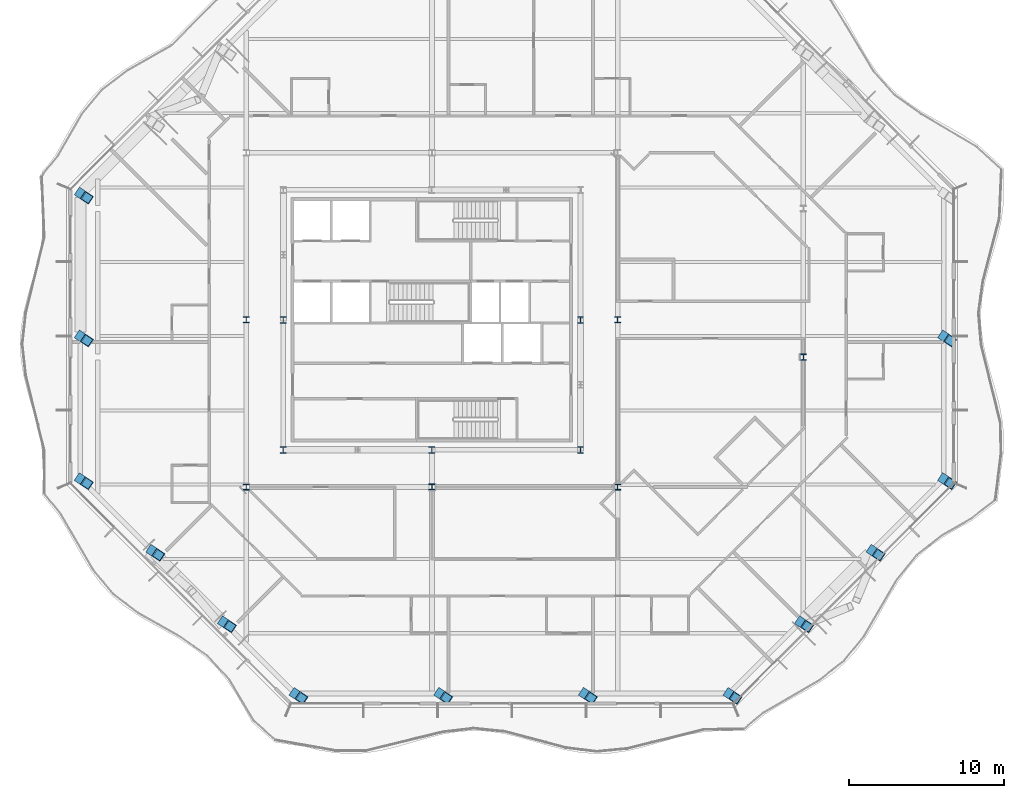
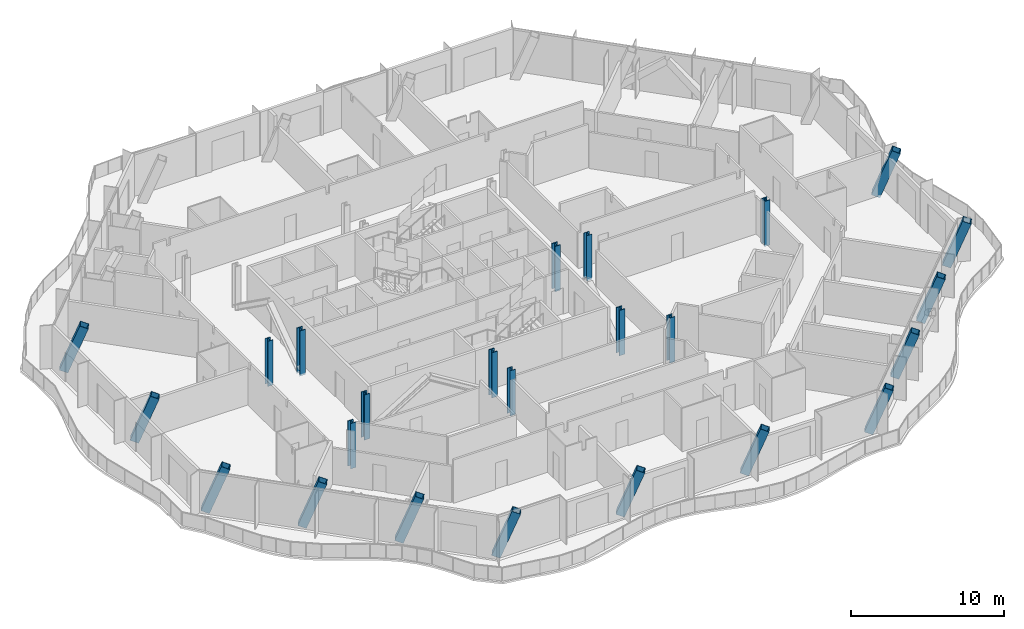
# One storey, part 1 of 19: 24 columns.
"""IFC4 building model written with IfcOpenShell, lengths in metres."""

import ifcopenshell
import ifcopenshell.guid

model = None  # the IFC model being written
_history = None  # IfcOwnerHistory: only IFC2X3 demands one
_inside = {}  # id of a spatial element -> (the spatial element, [elements in it])
_under = {}  # id of a project, library or spatial element -> (it, [spatial elements below it])
_declared = {}  # id of a project -> (the project, [libraries it declares])
_typed = {}  # id of a type object -> (the type object, [elements of that type])
_made_of = {}  # id of a material, layer set ... -> (it, [elements and type objects made of it])


def new_model(schema):
    """Start an empty IFC model of exactly this schema.

    Asked for "IFC4X3", IfcOpenShell would pick the latest addendum, in which some entities
    have other attributes; the version numbers below select the first issue.
    IFC2X3 requires an IfcOwnerHistory on every rooted entity: one is made here for all.
    """
    global model, _history
    if schema == "IFC4X3":
        model = ifcopenshell.file(schema_version=(4, 3, 0, 0))
    else:
        model = ifcopenshell.file(schema=schema)
    _inside.clear()
    _under.clear()
    _declared.clear()
    _typed.clear()
    _made_of.clear()
    _history = None
    if model.schema == "IFC2X3":
        org = make("IfcOrganization", Name="unknown")
        user = make(
            "IfcPersonAndOrganization",
            ThePerson=make("IfcPerson", FamilyName="unknown"),
            TheOrganization=org,
        )
        app = make(
            "IfcApplication",
            ApplicationDeveloper=org,
            Version="unknown",
            ApplicationFullName="unknown",
            ApplicationIdentifier="unknown",
        )
        _history = make(
            "IfcOwnerHistory",
            OwningUser=user,
            OwningApplication=app,
            ChangeAction="ADDED",
            CreationDate=0,
        )
    return model


def make(cls, **values):
    """One entity of the class cls with the attributes given. An attribute that is None is left unset."""
    return model.create_entity(
        cls, **{name: value for name, value in values.items() if value is not None}
    )


def rooted(cls, **values):
    """An entity with a GlobalId (a new one), such as an element, a storey or a relation."""
    return make(cls, GlobalId=ifcopenshell.guid.new(), OwnerHistory=_history, **values)


def si_unit(unit_type, name, prefix=None):
    """IfcSIUnit, for example si_unit("LENGTHUNIT", "METRE", prefix="MILLI")."""
    return make("IfcSIUnit", UnitType=unit_type, Prefix=prefix, Name=name)


def assignment(units):
    """IfcUnitAssignment: the units of a project."""
    return None if units is None else make("IfcUnitAssignment", Units=units)


def point(xyz):
    """IfcCartesianPoint."""
    return None if xyz is None else make("IfcCartesianPoint", Coordinates=xyz)


def direction(xyz):
    """IfcDirection."""
    return None if xyz is None else make("IfcDirection", DirectionRatios=xyz)


def frame(location, z_axis=None, x_axis=None):
    """IfcAxis2Placement3D, a coordinate frame: its origin and axes. An axis left out is left unset."""
    return make(
        "IfcAxis2Placement3D",
        Location=point(location),
        Axis=direction(z_axis),
        RefDirection=direction(x_axis),
    )


def frame_2d(location, x_axis=None):
    """IfcAxis2Placement2D, a coordinate frame in the plane: its origin and x axis."""
    return make(
        "IfcAxis2Placement2D", Location=point(location), RefDirection=direction(x_axis)
    )


def origin():
    """The frame at (0, 0, 0) with its axes left unset."""
    return frame((0.0, 0.0, 0.0))


def origin_2d():
    """The frame at (0, 0) in the plane with its x axis left unset."""
    return frame_2d((0.0, 0.0))


def place(relative_to, where):
    """IfcLocalPlacement: puts the frame where relative to a parent placement (None: the world)."""
    return make(
        "IfcLocalPlacement", PlacementRelTo=relative_to, RelativePlacement=where
    )


def context(
    kind, dimensions, precision=None, world=None, true_north=None, identifier=None
):
    """IfcGeometricRepresentationContext, for example the 3D "Model" context."""
    return make(
        "IfcGeometricRepresentationContext",
        ContextIdentifier=identifier,
        ContextType=kind,
        CoordinateSpaceDimension=dimensions,
        Precision=precision,
        WorldCoordinateSystem=world,
        TrueNorth=true_north,
    )


def subcontext(parent, identifier, kind, view, scale=None):
    """IfcGeometricRepresentationSubContext, for example "Body" below "Model"."""
    return make(
        "IfcGeometricRepresentationSubContext",
        ContextIdentifier=identifier,
        ContextType=kind,
        ParentContext=parent,
        TargetScale=scale,
        TargetView=view,
    )


def project(units=None, contexts=None):
    """IfcProject with its units and contexts."""
    return rooted(
        "IfcProject",
        Name="project",
        RepresentationContexts=contexts,
        UnitsInContext=assignment(units),
    )


def spatial(cls, under=None, at=None, **own):
    """A site, building, storey or space (cls), placed at a placement, below another one or the project."""
    s = rooted(cls, ObjectPlacement=at, **own)
    if under is not None:
        _under.setdefault(under.id(), (under, []))[1].append(s)
    return s


def profile(cls, at=None, kind="AREA", **sizes):
    """A parametric profile (cls). Its sizes go by their IFC names, for example OverallWidth=200.0."""
    return make(cls, ProfileType=kind, Position=at, **sizes)


def hollow_rectangle(**sizes):
    """IfcRectangleHollowProfileDef."""
    return profile("IfcRectangleHollowProfileDef", **sizes)


def i_section(**sizes):
    """IfcIShapeProfileDef."""
    return profile("IfcIShapeProfileDef", **sizes)


def extrude(swept, where, along, depth):
    """IfcExtrudedAreaSolid: the profile swept, set in the frame where, extruded along a direction by depth."""
    return make(
        "IfcExtrudedAreaSolid",
        SweptArea=swept,
        Position=where,
        ExtrudedDirection=direction(along),
        Depth=depth,
    )


def clip(a, b, op="DIFFERENCE"):
    """IfcBooleanClippingResult: the solid a cut by the half space b."""
    return make(
        "IfcBooleanClippingResult", Operator=op, FirstOperand=a, SecondOperand=b
    )


def halfspace(plane, agree):
    """IfcHalfSpaceSolid: all space on one side of the plane z = 0 of the frame plane."""
    return make(
        "IfcHalfSpaceSolid",
        BaseSurface=make("IfcPlane", Position=plane),
        AgreementFlag=agree,
    )


def shape(context_of_items, identifier, shape_type, items):
    """IfcShapeRepresentation: the items that make up one representation, for example the "Body"."""
    return make(
        "IfcShapeRepresentation",
        ContextOfItems=context_of_items,
        RepresentationIdentifier=identifier,
        RepresentationType=shape_type,
        Items=items,
    )


def material(Name=None, Category=None):
    """IfcMaterial."""
    return make("IfcMaterial", Name=Name, Category=Category)


def material_profile(
    of_material, cross_section, Name=None, Category=None, Priority=None
):
    """IfcMaterialProfile: a cross section and its material."""
    return make(
        "IfcMaterialProfile",
        Name=Name,
        Material=of_material,
        Profile=cross_section,
        Priority=Priority,
        Category=Category,
    )


def profile_set(profiles, Name=None, composite=None):
    """IfcMaterialProfileSet."""
    return make(
        "IfcMaterialProfileSet",
        Name=Name,
        MaterialProfiles=profiles,
        CompositeProfile=composite,
    )


def made_of(thing, what):
    """Note that an element or type object is made of a material, layer set ...; save() writes the relation."""
    if what is not None:
        _made_of.setdefault(what.id(), (what, []))[1].append(thing)
    return thing


def type_object(cls, material=None, **own):
    """A type object (cls), such as IfcWallType, which elements share."""
    return made_of(rooted(cls, **own), material)


def element(
    cls,
    number,
    at=None,
    inside=None,
    cuts=None,
    type_object=None,
    material=None,
    context=None,
    identifier="Body",
    shape_type=None,
    held_by="IfcProductDefinitionShape",
    body=None,
    shapes=None,
    **own,
):
    """One element of the class cls, such as IfcWall. Its Tag is "e" and its number.

    at: its placement. inside: the storey or other place that contains it. cuts: it is an
    opening in that element (IfcRelVoidsElement). A single representation is given by context,
    identifier, shape_type and body (its items); several are given by shapes. held_by: the class
    of the entity that holds the representations. save() writes the other relations.
    """
    e = rooted(cls, Tag="e%d" % number, ObjectPlacement=at, **own)
    if body is not None:
        shapes = [shape(context, identifier, shape_type, body)]
    if shapes is not None:
        e.Representation = make(held_by, Representations=shapes)
    if inside is not None:
        _inside.setdefault(inside.id(), (inside, []))[1].append(e)
    if cuts is not None:
        rooted(
            "IfcRelVoidsElement", RelatingBuildingElement=cuts, RelatedOpeningElement=e
        )
    if type_object is not None:
        _typed.setdefault(type_object.id(), (type_object, []))[1].append(e)
    return made_of(e, material)


def aggregate(whole, parts):
    """IfcRelAggregates: a whole, such as a stair, and the parts it consists of."""
    return rooted("IfcRelAggregates", RelatingObject=whole, RelatedObjects=parts)


def save(model, path):
    """Write the relations noted so far, then the file.

    IfcRelAggregates (storeys below a building ...), IfcRelContainedInSpatialStructure (elements
    in a storey), IfcRelDefinesByType, IfcRelAssociatesMaterial and IfcRelDeclares: one each for
    every whole, place, type object, material and project.
    """
    for whole, parts in _under.values():
        aggregate(whole, parts)
    for where, things in _inside.values():
        rooted(
            "IfcRelContainedInSpatialStructure",
            RelatedElements=things,
            RelatingStructure=where,
        )
    for kind, things in _typed.values():
        rooted("IfcRelDefinesByType", RelatedObjects=things, RelatingType=kind)
    for what, things in _made_of.values():
        rooted("IfcRelAssociatesMaterial", RelatedObjects=things, RelatingMaterial=what)
    for by, libraries in _declared.values():
        rooted("IfcRelDeclares", RelatingContext=by, RelatedDefinitions=libraries)
    model.write(path)


model = new_model("IFC4")

# Units and contexts
model_context = context("Model", 3, precision=1e-05, world=origin(), true_north=direction((0.0, 1.0)))
body_context = subcontext(model_context, "Body", "Model", "MODEL_VIEW")
ifc_project = project(units=[si_unit("LENGTHUNIT", "METRE"), si_unit("AREAUNIT", "SQUARE_METRE"), si_unit("VOLUMEUNIT", "CUBIC_METRE"), si_unit("PLANEANGLEUNIT", "RADIAN"), si_unit("MASSUNIT", "GRAM", prefix="KILO")], contexts=[model_context])

# Site, building, storey
site_placement = place(None, origin())
site = spatial("IfcSite", under=ifc_project, at=site_placement, CompositionType="ELEMENT")
building_placement = place(site_placement, origin())
building = spatial("IfcBuilding", under=site, at=building_placement, Name="Cairn Pilgrim Tower", CompositionType="ELEMENT")
storey_placement = place(building_placement, frame((0.0, 0.0, 190.199951171875)))
storey = spatial("IfcBuildingStorey", under=building, at=storey_placement, Name="L48", CompositionType="ELEMENT", Elevation=190.199951171875)

# Columns
ifc_material_1 = material(Name="Structural steel S460M", Category="steel")
ifc_material_profile_1 = material_profile(ifc_material_1, hollow_rectangle(XDim=0.60009765625, YDim=0.60009765625, WallThickness=0.034912109375, at=origin_2d()), Name="BOX 600x600x35")
ifc_profile_set_1 = profile_set([ifc_material_profile_1], Name="Structural steel S460M")
column_type_1 = type_object("IfcColumnType", Name="BOX 600x600x35", PredefinedType="COLUMN", material=ifc_profile_set_1)
for number, where, z_axis, x_axis, name in (
    (1, (-1.652099609375, -21.75, -0.14990234375), (0.29255764618, -0.195038430787, 0.936146374333), (0.554700196225, 0.832050294338, 0.0), "PC2-S1"),
    (2, (7.69921875, -21.75, -0.14990234375), (0.29255764618, -0.195038430787, 0.936146374333), (0.554700196225, 0.832050294338, 0.0), "PC2-S2"),
    (3, (17.05078125, -21.75, -0.14990234375), (0.29255764618, -0.195038430787, 0.936146374333), (0.554700196225, 0.832050294338, 0.0), "PC2-S3"),
    (4, (26.402099609375, -21.75, -0.14990234375), (0.29255764618, -0.195038430787, 0.936146374333), (0.554700196225, 0.832050294338, 0.0), "PC2-SE1"),
    (5, (31.026611328125, -17.125732421875, -0.14990234375), (0.29255764618, -0.195038430787, 0.936146374333), (0.554700196225, 0.832050294338, 0.0), "PC2-SE2"),
    (6, (35.650634765625, -12.50146484375, -0.14990234375), (0.29255764618, -0.195038430787, 0.936146374333), (0.554700196225, 0.832050294338, 0.0), "PC2-SE3"),
    (7, (40.27490234375, -7.877197265625, -0.14990234375), (0.29255764618, -0.195038430787, 0.936146374333), (0.554700196225, 0.832050294338, 0.0), "PC2-E1"),
    (8, (40.27490234375, 1.35009765625, -0.14990234375), (0.29255764618, -0.195038430787, 0.936146374333), (0.554700196225, 0.832050294338, 0.0), "PC2-E2"),
    (9, (-15.52490234375, 10.5771484375, -0.14990234375), (0.29255764618, -0.195038430787, 0.936146374333), (0.554700196225, 0.832050294338, 0.0), "PC2-W1"),
    (10, (-15.52490234375, 1.35009765625, -0.14990234375), (0.29255764618, -0.195038430787, 0.936146374333), (0.554700196225, 0.832050294338, 0.0), "PC2-W2"),
    (11, (-15.52490234375, -7.877197265625, -0.14990234375), (0.29255764618, -0.195038430787, 0.936146374333), (0.554700196225, 0.832050294338, 0.0), "PC2-SW1"),
    (12, (-10.900634765625, -12.50146484375, -0.14990234375), (0.29255764618, -0.195038430787, 0.936146374333), (0.554700196225, 0.832050294338, 0.0), "PC2-SW2"),
    (13, (-6.276611328125, -17.125732421875, -0.14990234375), (0.29255764618, -0.195038430787, 0.936146374333), (0.554700196225, 0.832050294338, 0.0), "PC2-SW3"),
):
    element("IfcColumn", number, at=place(storey_placement, frame(where, z_axis=z_axis, x_axis=x_axis)), inside=storey, type_object=column_type_1, Name=name, PredefinedType="COLUMN", context=body_context, shape_type="Clipping", body=[
        clip(clip(extrude(hollow_rectangle(XDim=0.60009765625, YDim=0.60009765625, WallThickness=0.034912109375, at=origin_2d()), origin(), (0.0, 0.0, 1.0), 3.845458984375), halfspace(frame((0.0, 0.0, 0.0185546875), z_axis=(0.0, 0.0, 1.0), x_axis=(1.0, 0.0, 0.0)), True)), halfspace(frame((0.0, 0.0, 3.824951171875), z_axis=(0.0, 0.0, 1.0), x_axis=(1.0, 0.0, 0.0)), False)),
    ])
ifc_material_2 = material(Name="Structural steel S355J2", Category="steel")
ifc_material_profile_2 = material_profile(ifc_material_2, i_section(OverallWidth=0.39892578125, OverallDepth=0.39306640625, WebThickness=0.022705078125, FlangeThickness=0.03662109375, FilletRadius=0.014892578125, at=origin_2d()), Name="HD 400x287")
ifc_profile_set_2 = profile_set([ifc_material_profile_2], Name="Structural steel S355J2")
column_type_2 = type_object("IfcColumnType", Name="HD 400x287", PredefinedType="COLUMN", material=ifc_profile_set_2)
for number, where, z_axis, x_axis, name in (
    (14, (-4.800048828125, -8.39990234375, -0.14990234375), (0.0, 0.0, 1.0), (1.0, 0.0, 0.0), "IC-1"),
    (15, (7.199951171875, -8.39990234375, -0.14990234375), (0.0, 0.0, 1.0), (1.0, 0.0, 0.0), "IC-2"),
    (16, (19.199951171875, -8.39990234375, -0.14990234375), (0.0, 0.0, 1.0), (1.0, 0.0, 0.0), "IC-3"),
    (17, (-4.800048828125, 2.39990234375, -0.14990234375), (0.0, 0.0, 1.0), (1.0, 0.0, 0.0), "IC-4"),
    (18, (19.199951171875, 2.39990234375, -0.14990234375), (0.0, 0.0, 1.0), (1.0, 0.0, 0.0), "IC-5"),
):
    element("IfcColumn", number, at=place(storey_placement, frame(where, z_axis=z_axis, x_axis=x_axis)), inside=storey, type_object=column_type_2, Name=name, PredefinedType="COLUMN", context=body_context, shape_type="SweptSolid", body=[
        extrude(i_section(OverallWidth=0.39892578125, OverallDepth=0.39306640625, WebThickness=0.022705078125, FlangeThickness=0.03662109375, FilletRadius=0.014892578125, at=origin_2d()), origin(), (0.0, 0.0, 1.0), 3.599853515625),
    ])
ifc_material_profile_3 = material_profile(ifc_material_1, i_section(OverallWidth=0.408935546875, OverallDepth=0.425048828125, WebThickness=0.03271484375, FlangeThickness=0.052490234375, FilletRadius=0.014892578125, at=origin_2d()), Name="HD 400x421")
ifc_profile_set_3 = profile_set([ifc_material_profile_3], Name="Structural steel S460M")
column_type_3 = type_object("IfcColumnType", Name="HD 400x421", PredefinedType="COLUMN", material=ifc_profile_set_3)
column_placement = place(storey_placement, frame((31.199951171875, 0.0, -0.14990234375), z_axis=(0.0, 0.0, 1.0), x_axis=(1.0, 0.0, 0.0)))
element("IfcColumn", 19, at=column_placement, inside=storey, type_object=column_type_3, Name="WC-WE+0", PredefinedType="COLUMN", context=body_context, shape_type="SweptSolid", body=[
    extrude(i_section(OverallWidth=0.408935546875, OverallDepth=0.425048828125, WebThickness=0.03271484375, FlangeThickness=0.052490234375, FilletRadius=0.014892578125, at=origin_2d()), origin(), (0.0, 0.0, 1.0), 3.599853515625),
])
ifc_material_profile_4 = material_profile(ifc_material_1, i_section(OverallWidth=0.416015625, OverallDepth=0.446044921875, WebThickness=0.0390625, FlangeThickness=0.062744140625, FilletRadius=0.014892578125, at=origin_2d()), Name="HD 400x509")
ifc_profile_set_4 = profile_set([ifc_material_profile_4], Name="Structural steel S460M")
column_type_4 = type_object("IfcColumnType", Name="HD 400x509", PredefinedType="COLUMN", material=ifc_profile_set_4)
for number, where, z_axis, x_axis, name in (
    (20, (-2.39990234375, -6.0, -0.14990234375), (0.0, 0.0, 1.0), (1.0, 0.0, 0.0), "KC-1"),
    (21, (7.199951171875, -6.0, -0.14990234375), (0.0, 0.0, 1.0), (1.0, 0.0, 0.0), "KC-2"),
    (22, (16.800048828125, -6.0, -0.14990234375), (0.0, 0.0, 1.0), (1.0, 0.0, 0.0), "KC-3"),
    (23, (-2.39990234375, 2.39990234375, -0.14990234375), (0.0, 0.0, 1.0), (1.0, 0.0, 0.0), "KC-4"),
    (24, (16.800048828125, 2.39990234375, -0.14990234375), (0.0, 0.0, 1.0), (1.0, 0.0, 0.0), "KC-5"),
):
    element("IfcColumn", number, at=place(storey_placement, frame(where, z_axis=z_axis, x_axis=x_axis)), inside=storey, type_object=column_type_4, Name=name, PredefinedType="COLUMN", context=body_context, shape_type="SweptSolid", body=[
        extrude(i_section(OverallWidth=0.416015625, OverallDepth=0.446044921875, WebThickness=0.0390625, FlangeThickness=0.062744140625, FilletRadius=0.014892578125, at=origin_2d()), origin(), (0.0, 0.0, 1.0), 3.599853515625),
    ])

save(model, "model.ifc")
